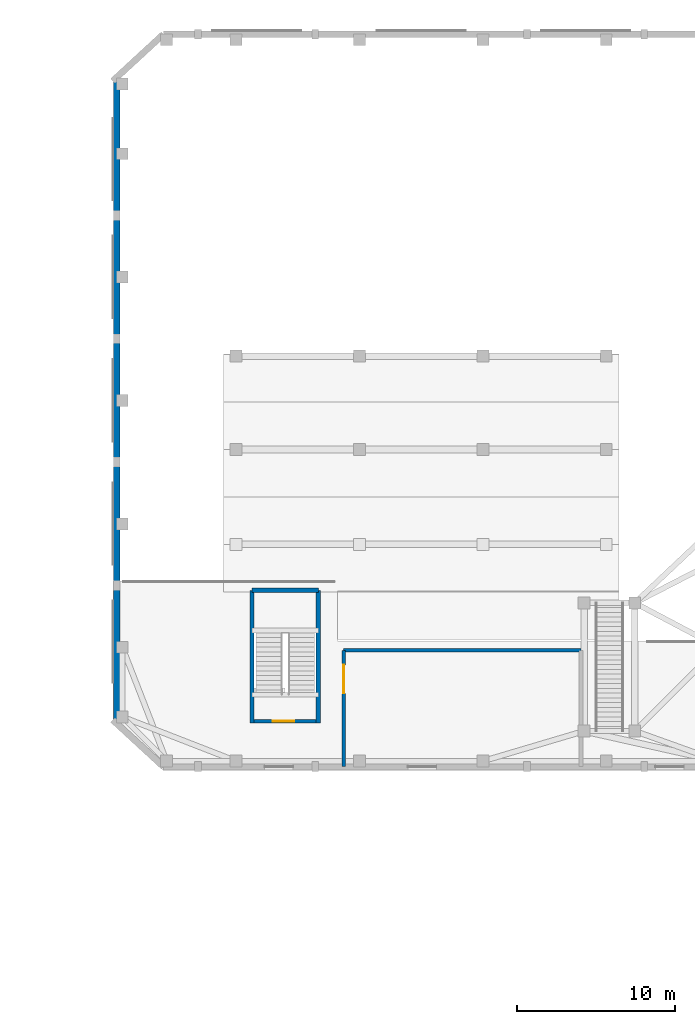
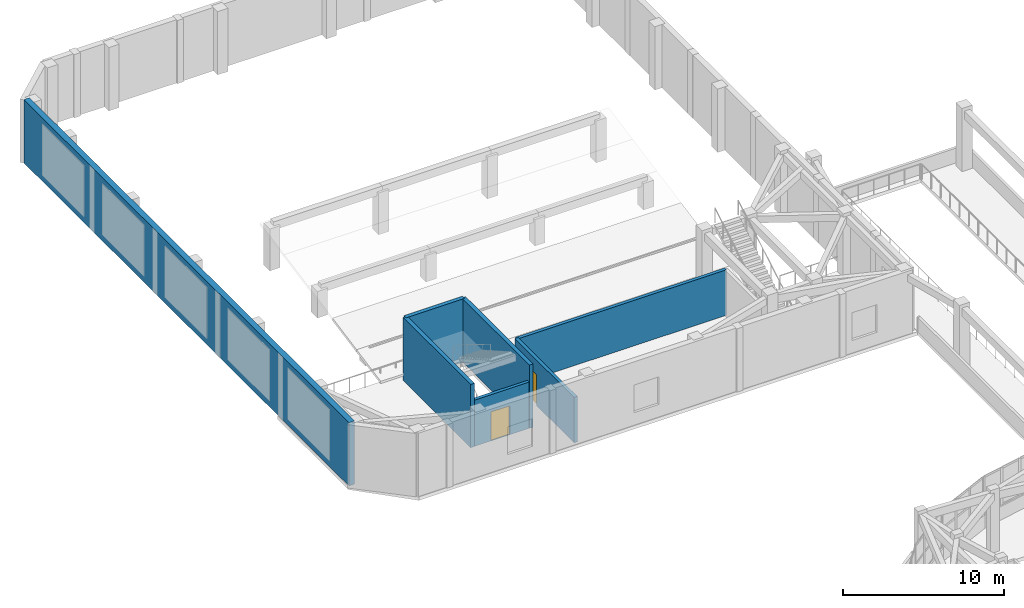
# One storey, part 75 of 98: 7 walls, 2 doors, 2 openings.
"""IFC4 building model written with IfcOpenShell, lengths in metres."""

from ifc_helpers import new_model, si_unit, direction, frame, frame_2d, origin, place, context, subcontext, project, spatial, rectangle, extrude, material, layer, layer_set, type_object, element, fill, save


model = new_model("IFC4")

# Units and contexts
model_context = context("Model", 3, precision=1e-05, world=origin(), true_north=direction((0.0, 1.0)))
body_context = subcontext(model_context, "Body", "Model", "MODEL_VIEW")
ifc_project = project(units=[si_unit("LENGTHUNIT", "METRE"), si_unit("AREAUNIT", "SQUARE_METRE"), si_unit("VOLUMEUNIT", "CUBIC_METRE"), si_unit("PLANEANGLEUNIT", "RADIAN"), si_unit("MASSUNIT", "GRAM", prefix="KILO")], contexts=[model_context])

# Site, building, storey
site_placement = place(None, origin())
site = spatial("IfcSite", under=ifc_project, at=site_placement, CompositionType="ELEMENT")
building_placement = place(site_placement, origin())
building = spatial("IfcBuilding", under=site, at=building_placement, Name="Pelvatis Terrace Science Centre", CompositionType="ELEMENT")
storey_placement = place(building_placement, frame((0.0, 0.0, 5.39990234375)))
storey = spatial("IfcBuildingStorey", under=building, at=storey_placement, Name="L01", CompositionType="ELEMENT", Elevation=5.39990234375)

# Walls
ifc_material_1 = material(Name="Precast concrete C40/50 double acoustic shell", Category="concrete")
ifc_layer_1 = layer(ifc_material_1, 0.409912109375)
ifc_layer_set_1 = layer_set([ifc_layer_1], Name="Precast concrete C40/50 double acoustic shell")
wall_type_1 = type_object("IfcWallType", Name="WL-EXT-ACOU-410", PredefinedType="SOLIDWALL", material=ifc_layer_set_1)
wall_1_placement = place(storey_placement, frame((8.050048828125, 73.39990234375, 0.0), z_axis=(0.0, 0.0, 1.0), x_axis=(0.0, 1.0, 0.0)))
element("IfcWall", 1, at=wall_1_placement, inside=storey, type_object=wall_type_1, Name="Theatre classical stone acoustic wall W (L01)", PredefinedType="SOLIDWALL", context=body_context, shape_type="SweptSolid", body=[
    extrude(rectangle(XDim=40.400146484375, YDim=0.409912109375, at=frame_2d((20.2001953125, 0.0))), origin(), (0.0, 0.0, 1.0), 4.800048828125),
])
ifc_material_2 = material(Name="Acoustic theatre and planetarium lobby wall", Category="masonry")
ifc_layer_2 = layer(ifc_material_2, 0.235107421875)
ifc_layer_set_2 = layer_set([ifc_layer_2], Name="Acoustic theatre and planetarium lobby wall")
wall_type_2 = type_object("IfcWallType", Name="WL-INT-ACOU-235", PredefinedType="PARTITIONING", material=ifc_layer_set_2)
wall_2_placement = place(storey_placement, frame((37.39990234375, 77.800048828125, 0.0), z_axis=(0.0, 0.0, 1.0), x_axis=(-1.0, 0.0, 0.0)))
element("IfcWall", 2, at=wall_2_placement, inside=storey, type_object=wall_type_2, Name="Science Theatre Auditorium partition wall N", PredefinedType="PARTITIONING", context=body_context, shape_type="SweptSolid", body=[
    extrude(rectangle(XDim=15.0, YDim=0.235107421875, at=frame_2d((7.5, 0.0))), origin(), (0.0, 0.0, 1.0), 3.4501953125),
])

# Wall, opening, door
wall_3_placement = place(storey_placement, frame((22.39990234375, 77.800048828125, 0.0), z_axis=(0.0, 0.0, 1.0), x_axis=(0.0, -1.0, 0.0)))
wall_3 = element("IfcWall", 3, at=wall_3_placement, inside=storey, type_object=wall_type_2, Name="Science Theatre Auditorium partition wall W", PredefinedType="PARTITIONING", context=body_context, shape_type="SweptSolid", body=[
    extrude(rectangle(XDim=7.35009765625, YDim=0.235107421875, at=frame_2d((3.675048828125, 0.0))), origin(), (0.0, 0.0, 1.0), 3.4501953125),
])
opening_1_placement = place(wall_3_placement, frame((0.9140625, 0.0, 0.0)))
opening_1 = element("IfcOpeningElement", 4, at=opening_1_placement, cuts=wall_3, Name="Opening D-193", PredefinedType="OPENING", context=body_context, shape_type="SweptSolid", body=[
    extrude(rectangle(XDim=1.800048828125, YDim=2.35009765625, at=frame_2d((0.89990234375, 1.175048828125))), frame((0.0, 0.12744140625, 0.0), z_axis=(0.0, -1.0, 0.0), x_axis=(1.0, 0.0, 0.0)), (0.0, 0.0, 1.0), 0.255126953125),
])
ifc_material_3 = material(Name="Acoustic padded theatre sound-lock double door", Category="wood")
door_type_1 = type_object("IfcDoorType", Name="DR-THTR-1800x2350", OperationType="NOTDEFINED", PredefinedType="DOOR", material=ifc_material_3)
door_1_placement = place(opening_1_placement, origin())
door_1 = element("IfcDoor", 5, at=door_1_placement, inside=storey, type_object=door_type_1, Name="Science Theatre Auditorium entrance door", OperationType="DOUBLE_DOOR_SINGLE_SWING", OverallHeight=2.35009765625, OverallWidth=1.800048828125, PredefinedType="DOOR", context=body_context, shape_type="SweptSolid", body=[
    extrude(rectangle(XDim=1.800048828125, YDim=2.35009765625, at=frame_2d((0.89990234375, 1.175048828125))), frame((0.0, 0.02490234375, 0.0), z_axis=(0.0, -1.0, 0.0), x_axis=(1.0, 0.0, 0.0)), (0.0, 0.0, 1.0), 0.050048828125),
])
fill(opening_1, door_1)

ifc_material_4 = material(Name="Concrete C35/45 stair enclosure wall", Category="concrete")
ifc_layer_3 = layer(ifc_material_4, 0.22509765625)
ifc_layer_set_3 = layer_set([ifc_layer_3], Name="Concrete C35/45 stair enclosure wall")
wall_type_3 = type_object("IfcWallType", Name="WL-INT-CORE-225", PredefinedType="PARTITIONING", material=ifc_layer_set_3)
wall_4_placement = place(storey_placement, frame((16.739990234375, 73.320068359375, 0.0), z_axis=(0.0, 0.0, 1.0), x_axis=(1.0, 0.0, 0.0)))
wall_4 = element("IfcWall", 6, at=wall_4_placement, inside=storey, type_object=wall_type_3, Name="Stair ST-07 shaft wall S (L01)", PredefinedType="PARTITIONING", context=body_context, shape_type="SweptSolid", body=[
    extrude(rectangle(XDim=3.919921875, YDim=0.22509765625, at=frame_2d((1.9599609375, 0.0))), origin(), (0.0, 0.0, 1.0), 3.510009765625),
])
opening_2_placement = place(wall_4_placement, frame((1.173095703125, 0.0, 0.0)))
opening_2 = element("IfcOpeningElement", 7, at=opening_2_placement, cuts=wall_4, Name="Opening D-158", PredefinedType="OPENING", context=body_context, shape_type="SweptSolid", body=[
    extrude(rectangle(XDim=1.35009765625, YDim=2.199951171875, at=frame_2d((0.675048828125, 1.10009765625))), frame((0.0, 0.12255859375, 0.0), z_axis=(0.0, -1.0, 0.0), x_axis=(1.0, 0.0, 0.0)), (0.0, 0.0, 1.0), 0.2451171875),
])
ifc_material_5 = material(Name="Steel fire-rated protected stair door", Category="steel")
door_type_2 = type_object("IfcDoorType", Name="DR-STAIR-1350x2200", OperationType="NOTDEFINED", PredefinedType="DOOR", material=ifc_material_5)
door_2_placement = place(opening_2_placement, origin())
door_2 = element("IfcDoor", 8, at=door_2_placement, inside=storey, type_object=door_type_2, Name="Stair ST-07 fire door (L01)", OperationType="SINGLE_SWING_RIGHT", OverallHeight=2.199951171875, OverallWidth=1.35009765625, PredefinedType="DOOR", context=body_context, shape_type="SweptSolid", body=[
    extrude(rectangle(XDim=1.35009765625, YDim=2.199951171875, at=frame_2d((0.675048828125, 1.10009765625))), frame((0.0, 0.02490234375, 0.0), z_axis=(0.0, -1.0, 0.0), x_axis=(1.0, 0.0, 0.0)), (0.0, 0.0, 1.0), 0.050048828125),
])
fill(opening_2, door_2)

# Walls
ifc_material_6 = material(Name="Concrete C40/50", Category="concrete")
ifc_layer_4 = layer(ifc_material_6, 0.280029296875)
ifc_layer_set_4 = layer_set([ifc_layer_4], Name="Concrete C40/50")
wall_type_4 = type_object("IfcWallType", Name="WL-SHR-280", PredefinedType="SHEAR", material=ifc_layer_set_4)
wall_5_placement = place(storey_placement, frame((16.60009765625, 81.60009765625, 0.0), z_axis=(0.0, 0.0, 1.0), x_axis=(1.0, 0.0, 0.0)))
element("IfcWall", 9, at=wall_5_placement, inside=storey, type_object=wall_type_4, Name="Stair ST-07 structural wall N (L01)", PredefinedType="SHEAR", context=body_context, shape_type="SweptSolid", body=[
    extrude(rectangle(XDim=4.199951171875, YDim=0.280029296875, at=frame_2d((2.10009765625, 0.0))), origin(), (0.0, 0.0, 1.0), 4.800048828125),
])
for number, where, z_axis, x_axis, name in (
    (10, (16.60009765625, 73.199951171875, 0.0), (0.0, 0.0, 1.0), (0.0, 1.0, 0.0), "Stair ST-07 structural wall W (L01)"),
    (11, (20.800048828125, 73.199951171875, 0.0), (0.0, 0.0, 1.0), (0.0, 1.0, 0.0), "Stair ST-07 structural wall E (L01)"),
):
    element("IfcWall", number, at=place(storey_placement, frame(where, z_axis=z_axis, x_axis=x_axis)), inside=storey, type_object=wall_type_4, Name=name, PredefinedType="SHEAR", context=body_context, shape_type="SweptSolid", body=[
        extrude(rectangle(XDim=8.400146484375, YDim=0.280029296875, at=frame_2d((4.2001953125, 0.0))), origin(), (0.0, 0.0, 1.0), 4.800048828125),
    ])

save(model, "model.ifc")
